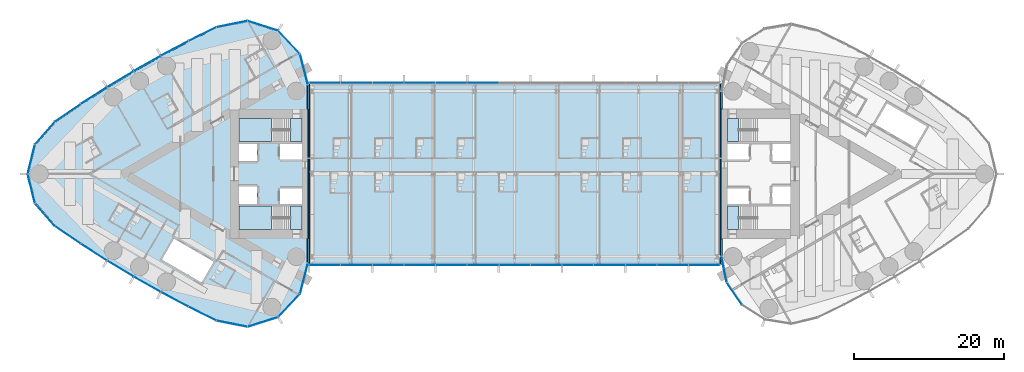
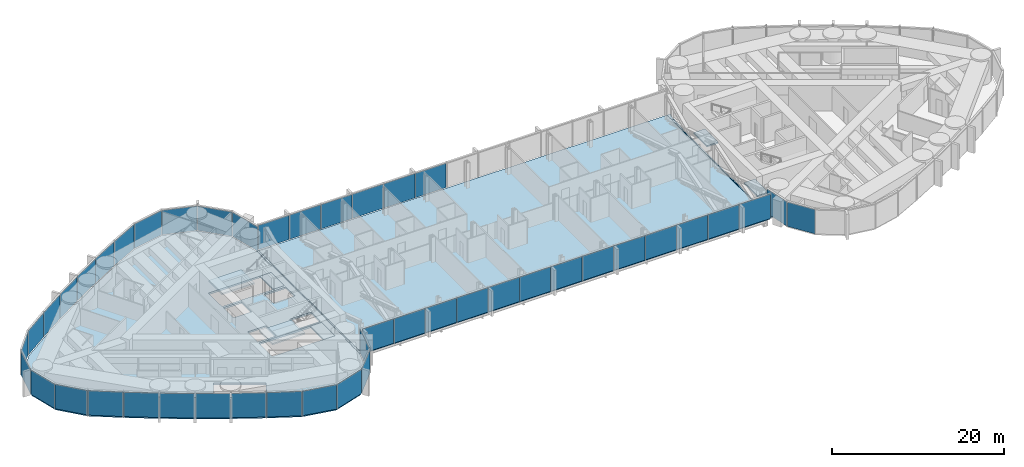
# One storey, part 12 of 22: 47 plates, 8 slabs, 8 elements without a shape of their own.
"""IFC4 building model written with IfcOpenShell, lengths in metres."""

from ifc_helpers import new_model, si_unit, direction, frame, origin, origin_2d, place, context, subcontext, project, spatial, polyline, rectangle, outline, extrude, material, layer, layer_set, type_object, element, aggregate, save


model = new_model("IFC4")

# Units and contexts
model_context = context("Model", 3, precision=1e-05, world=origin(), true_north=direction((0.0, 1.0)))
body_context = subcontext(model_context, "Body", "Model", "MODEL_VIEW")
ifc_project = project(units=[si_unit("LENGTHUNIT", "METRE"), si_unit("AREAUNIT", "SQUARE_METRE"), si_unit("VOLUMEUNIT", "CUBIC_METRE"), si_unit("PLANEANGLEUNIT", "RADIAN"), si_unit("MASSUNIT", "GRAM", prefix="KILO")], contexts=[model_context])

# Site, building, storey
site_placement = place(None, origin())
site = spatial("IfcSite", under=ifc_project, at=site_placement, CompositionType="ELEMENT")
building_placement = place(site_placement, origin())
building = spatial("IfcBuilding", under=site, at=building_placement, Name="Lancet Gate Hotel", CompositionType="ELEMENT")
storey_placement = place(building_placement, frame((0.0, 0.0, 226.10009765625)))
storey = spatial("IfcBuildingStorey", under=building, at=storey_placement, Name="L60", CompositionType="ELEMENT", Elevation=226.10009765625)

# Curtain wall, plates
ifc_material_1 = material(Name="Aluminium curtain wall", Category="aluminium")
curtain_wall_type_1 = type_object("IfcCurtainWallType", Name="Bridge block curtain wall", PredefinedType="USERDEFINED", material=ifc_material_1)
curtain_wall_1_placement = place(storey_placement, origin())
curtain_wall_1 = element("IfcCurtainWall", 1, at=curtain_wall_1_placement, inside=storey, type_object=curtain_wall_type_1, Name="Bridge block L60 curtain wall S", ObjectType="UNITISED CURTAIN WALL", PredefinedType="USERDEFINED")
ifc_material_2 = material(Name="Glass double glazed unit 8-16-6", Category="glass")
ifc_layer_1 = layer(ifc_material_2, 0.030029296875)
ifc_layer_set_1 = layer_set([ifc_layer_1], Name="Block vision panel")
plate_type_1 = type_object("IfcPlateType", Name="Block vision panel", PredefinedType="CURTAIN_PANEL", material=ifc_layer_set_1)
plate_1_placement = place(storey_placement, frame((-25.24609375, -12.1201171875, 0.0), z_axis=(0.0, 0.0, 1.0), x_axis=(1.0, 0.0, 0.0)))
plate_1 = element("IfcPlate", 2, at=plate_1_placement, type_object=plate_type_1, Name="Bridge block L60 curtain wall S panel 1", PredefinedType="CURTAIN_PANEL", context=body_context, shape_type="SweptSolid", body=[
    extrude(rectangle(XDim=4.142578125, YDim=0.030029296875, at=origin_2d()), origin(), (0.0, 0.0, 1.0), 3.449951171875),
])
plate_2_placement = place(storey_placement, frame((-21.03857421875, -12.1201171875, 0.0), z_axis=(0.0, 0.0, 1.0), x_axis=(1.0, 0.0, 0.0)))
plate_2 = element("IfcPlate", 3, at=plate_2_placement, type_object=plate_type_1, Name="Bridge block L60 curtain wall S panel 2", PredefinedType="CURTAIN_PANEL", context=body_context, shape_type="SweptSolid", body=[
    extrude(rectangle(XDim=4.142578125, YDim=0.030029296875, at=origin_2d()), origin(), (0.0, 0.0, 1.0), 3.449951171875),
])
plate_3_placement = place(storey_placement, frame((-16.830810546875, -12.1201171875, 0.0), z_axis=(0.0, 0.0, 1.0), x_axis=(1.0, 0.0, 0.0)))
plate_3 = element("IfcPlate", 4, at=plate_3_placement, type_object=plate_type_1, Name="Bridge block L60 curtain wall S panel 3", PredefinedType="CURTAIN_PANEL", context=body_context, shape_type="SweptSolid", body=[
    extrude(rectangle(XDim=4.142578125, YDim=0.030029296875, at=origin_2d()), origin(), (0.0, 0.0, 1.0), 3.449951171875),
])
plate_4_placement = place(storey_placement, frame((-12.623046875, -12.1201171875, 0.0), z_axis=(0.0, 0.0, 1.0), x_axis=(1.0, 0.0, 0.0)))
plate_4 = element("IfcPlate", 5, at=plate_4_placement, type_object=plate_type_1, Name="Bridge block L60 curtain wall S panel 4", PredefinedType="CURTAIN_PANEL", context=body_context, shape_type="SweptSolid", body=[
    extrude(rectangle(XDim=4.142578125, YDim=0.030029296875, at=origin_2d()), origin(), (0.0, 0.0, 1.0), 3.449951171875),
])
plate_5_placement = place(storey_placement, frame((-8.415283203125, -12.1201171875, 0.0), z_axis=(0.0, 0.0, 1.0), x_axis=(1.0, 0.0, 0.0)))
plate_5 = element("IfcPlate", 6, at=plate_5_placement, type_object=plate_type_1, Name="Bridge block L60 curtain wall S panel 5", PredefinedType="CURTAIN_PANEL", context=body_context, shape_type="SweptSolid", body=[
    extrude(rectangle(XDim=4.142578125, YDim=0.030029296875, at=origin_2d()), origin(), (0.0, 0.0, 1.0), 3.449951171875),
])
plate_6_placement = place(storey_placement, frame((-4.207763671875, -12.1201171875, 0.0), z_axis=(0.0, 0.0, 1.0), x_axis=(1.0, 0.0, 0.0)))
plate_6 = element("IfcPlate", 7, at=plate_6_placement, type_object=plate_type_1, Name="Bridge block L60 curtain wall S panel 6", PredefinedType="CURTAIN_PANEL", context=body_context, shape_type="SweptSolid", body=[
    extrude(rectangle(XDim=4.142578125, YDim=0.030029296875, at=origin_2d()), origin(), (0.0, 0.0, 1.0), 3.449951171875),
])
plate_7_placement = place(storey_placement, frame((0.0, -12.1201171875, 0.0), z_axis=(0.0, 0.0, 1.0), x_axis=(1.0, 0.0, 0.0)))
plate_7 = element("IfcPlate", 8, at=plate_7_placement, type_object=plate_type_1, Name="Bridge block L60 curtain wall S panel 7", PredefinedType="CURTAIN_PANEL", context=body_context, shape_type="SweptSolid", body=[
    extrude(rectangle(XDim=4.142578125, YDim=0.030029296875, at=origin_2d()), origin(), (0.0, 0.0, 1.0), 3.449951171875),
])
plate_8_placement = place(storey_placement, frame((4.207763671875, -12.1201171875, 0.0), z_axis=(0.0, 0.0, 1.0), x_axis=(1.0, 0.0, 0.0)))
plate_8 = element("IfcPlate", 9, at=plate_8_placement, type_object=plate_type_1, Name="Bridge block L60 curtain wall S panel 8", PredefinedType="CURTAIN_PANEL", context=body_context, shape_type="SweptSolid", body=[
    extrude(rectangle(XDim=4.142578125, YDim=0.030029296875, at=origin_2d()), origin(), (0.0, 0.0, 1.0), 3.449951171875),
])
plate_9_placement = place(storey_placement, frame((8.415283203125, -12.1201171875, 0.0), z_axis=(0.0, 0.0, 1.0), x_axis=(1.0, 0.0, 0.0)))
plate_9 = element("IfcPlate", 10, at=plate_9_placement, type_object=plate_type_1, Name="Bridge block L60 curtain wall S panel 9", PredefinedType="CURTAIN_PANEL", context=body_context, shape_type="SweptSolid", body=[
    extrude(rectangle(XDim=4.142578125, YDim=0.030029296875, at=origin_2d()), origin(), (0.0, 0.0, 1.0), 3.449951171875),
])
plate_10_placement = place(storey_placement, frame((12.623046875, -12.1201171875, 0.0), z_axis=(0.0, 0.0, 1.0), x_axis=(1.0, 0.0, 0.0)))
plate_10 = element("IfcPlate", 11, at=plate_10_placement, type_object=plate_type_1, Name="Bridge block L60 curtain wall S panel 10", PredefinedType="CURTAIN_PANEL", context=body_context, shape_type="SweptSolid", body=[
    extrude(rectangle(XDim=4.142578125, YDim=0.030029296875, at=origin_2d()), origin(), (0.0, 0.0, 1.0), 3.449951171875),
])
plate_11_placement = place(storey_placement, frame((16.830810546875, -12.1201171875, 0.0), z_axis=(0.0, 0.0, 1.0), x_axis=(1.0, 0.0, 0.0)))
plate_11 = element("IfcPlate", 12, at=plate_11_placement, type_object=plate_type_1, Name="Bridge block L60 curtain wall S panel 11", PredefinedType="CURTAIN_PANEL", context=body_context, shape_type="SweptSolid", body=[
    extrude(rectangle(XDim=4.142578125, YDim=0.030029296875, at=origin_2d()), origin(), (0.0, 0.0, 1.0), 3.449951171875),
])
plate_12_placement = place(storey_placement, frame((21.03857421875, -12.1201171875, 0.0), z_axis=(0.0, 0.0, 1.0), x_axis=(1.0, 0.0, 0.0)))
plate_12 = element("IfcPlate", 13, at=plate_12_placement, type_object=plate_type_1, Name="Bridge block L60 curtain wall S panel 12", PredefinedType="CURTAIN_PANEL", context=body_context, shape_type="SweptSolid", body=[
    extrude(rectangle(XDim=4.142578125, YDim=0.030029296875, at=origin_2d()), origin(), (0.0, 0.0, 1.0), 3.449951171875),
])
plate_13_placement = place(storey_placement, frame((25.24609375, -12.1201171875, 0.0), z_axis=(0.0, 0.0, 1.0), x_axis=(1.0, 0.0, 0.0)))
plate_13 = element("IfcPlate", 14, at=plate_13_placement, type_object=plate_type_1, Name="Bridge block L60 curtain wall S panel 13", PredefinedType="CURTAIN_PANEL", context=body_context, shape_type="SweptSolid", body=[
    extrude(rectangle(XDim=4.142578125, YDim=0.030029296875, at=origin_2d()), origin(), (0.0, 0.0, 1.0), 3.449951171875),
])
aggregate(curtain_wall_1, [plate_1, plate_2, plate_3, plate_4, plate_5, plate_6, plate_7, plate_8, plate_9, plate_10, plate_11, plate_12, plate_13])

curtain_wall_2_placement = place(storey_placement, origin())
curtain_wall_2 = element("IfcCurtainWall", 15, at=curtain_wall_2_placement, inside=storey, type_object=curtain_wall_type_1, Name="Bridge block L60 curtain wall N", ObjectType="UNITISED CURTAIN WALL", PredefinedType="USERDEFINED")
plate_14_placement = place(storey_placement, frame((-4.207763671875, 12.1201171875, 0.0), z_axis=(0.0, 0.0, 1.0), x_axis=(-1.0, 0.0, 0.0)))
plate_14 = element("IfcPlate", 16, at=plate_14_placement, type_object=plate_type_1, Name="Bridge block L60 curtain wall N panel 8", PredefinedType="CURTAIN_PANEL", context=body_context, shape_type="SweptSolid", body=[
    extrude(rectangle(XDim=4.142578125, YDim=0.030029296875, at=origin_2d()), origin(), (0.0, 0.0, 1.0), 3.449951171875),
])
plate_15_placement = place(storey_placement, frame((-8.415283203125, 12.1201171875, 0.0), z_axis=(0.0, 0.0, 1.0), x_axis=(-1.0, 0.0, 0.0)))
plate_15 = element("IfcPlate", 17, at=plate_15_placement, type_object=plate_type_1, Name="Bridge block L60 curtain wall N panel 9", PredefinedType="CURTAIN_PANEL", context=body_context, shape_type="SweptSolid", body=[
    extrude(rectangle(XDim=4.142578125, YDim=0.030029296875, at=origin_2d()), origin(), (0.0, 0.0, 1.0), 3.449951171875),
])
plate_16_placement = place(storey_placement, frame((-12.623046875, 12.1201171875, 0.0), z_axis=(0.0, 0.0, 1.0), x_axis=(-1.0, 0.0, 0.0)))
plate_16 = element("IfcPlate", 18, at=plate_16_placement, type_object=plate_type_1, Name="Bridge block L60 curtain wall N panel 10", PredefinedType="CURTAIN_PANEL", context=body_context, shape_type="SweptSolid", body=[
    extrude(rectangle(XDim=4.142578125, YDim=0.030029296875, at=origin_2d()), origin(), (0.0, 0.0, 1.0), 3.449951171875),
])
plate_17_placement = place(storey_placement, frame((-16.830810546875, 12.1201171875, 0.0), z_axis=(0.0, 0.0, 1.0), x_axis=(-1.0, 0.0, 0.0)))
plate_17 = element("IfcPlate", 19, at=plate_17_placement, type_object=plate_type_1, Name="Bridge block L60 curtain wall N panel 11", PredefinedType="CURTAIN_PANEL", context=body_context, shape_type="SweptSolid", body=[
    extrude(rectangle(XDim=4.142578125, YDim=0.030029296875, at=origin_2d()), origin(), (0.0, 0.0, 1.0), 3.449951171875),
])
plate_18_placement = place(storey_placement, frame((-21.03857421875, 12.1201171875, 0.0), z_axis=(0.0, 0.0, 1.0), x_axis=(-1.0, 0.0, 0.0)))
plate_18 = element("IfcPlate", 20, at=plate_18_placement, type_object=plate_type_1, Name="Bridge block L60 curtain wall N panel 12", PredefinedType="CURTAIN_PANEL", context=body_context, shape_type="SweptSolid", body=[
    extrude(rectangle(XDim=4.142578125, YDim=0.030029296875, at=origin_2d()), origin(), (0.0, 0.0, 1.0), 3.449951171875),
])
plate_19_placement = place(storey_placement, frame((-25.24609375, 12.1201171875, 0.0), z_axis=(0.0, 0.0, 1.0), x_axis=(-1.0, 0.0, 0.0)))
plate_19 = element("IfcPlate", 21, at=plate_19_placement, type_object=plate_type_1, Name="Bridge block L60 curtain wall N panel 13", PredefinedType="CURTAIN_PANEL", context=body_context, shape_type="SweptSolid", body=[
    extrude(rectangle(XDim=4.142578125, YDim=0.030029296875, at=origin_2d()), origin(), (0.0, 0.0, 1.0), 3.449951171875),
])
aggregate(curtain_wall_2, [plate_14, plate_15, plate_16, plate_17, plate_18, plate_19])

# Slabs
ifc_material_3 = material(Name="Concrete C40/50", Category="concrete")
ifc_layer_2 = layer(ifc_material_3, 0.199951171875)
ifc_layer_set_2 = layer_set([ifc_layer_2], Name="Composite floor slab 200")
slab_type_1 = type_object("IfcSlabType", Name="Composite floor slab 200", PredefinedType="FLOOR", material=ifc_layer_set_2)
slab_1_placement = place(storey_placement, frame((0.0, 0.0, -0.2001953125)))
element("IfcSlab", 22, at=slab_1_placement, inside=storey, type_object=slab_type_1, Name="Bridge block L60 floor slab", PredefinedType="FLOOR", context=body_context, shape_type="SweptSolid", body=[
    extrude(outline(polyline([(27.35009765625, -12.0), (27.35009765625, 12.0), (-27.35009765625, 12.0), (-27.35009765625, -12.0), (27.35009765625, -12.0)])), origin(), (0.0, 0.0, 1.0), 0.2001953125),
])
ifc_material_4 = material(Name="Concrete C50/60", Category="concrete")
ifc_layer_3 = layer(ifc_material_4, 0.25)
ifc_layer_set_3 = layer_set([ifc_layer_3], Name="Floor slab 250")
slab_type_2 = type_object("IfcSlabType", Name="Floor slab 250", PredefinedType="FLOOR", material=ifc_layer_set_3)
slab_2_placement = place(storey_placement, frame((0.0, 0.0, -0.25)))
element("IfcSlab", 23, at=slab_2_placement, inside=storey, type_object=slab_type_2, Name="T1 L60 floor slab", PredefinedType="FLOOR", context=body_context, shape_type="SweptSolid", body=[
    extrude(outline(polyline([(-27.5, 8.60009765625), (-27.6201171875, 8.60009765625), (-27.6201171875, 11.84619140625), (-28.668701171875, 15.912353515625), (-31.542236328125, 18.95263671875), (-35.52783203125, 20.22412109375), (-39.645751953125, 19.40673828125), (-43.344482421875, 17.565673828125), (-47.005126953125, 15.618896484375), (-50.61181640625, 13.574462890625), (-54.162353515625, 11.43359375), (-57.654052734375, 9.197998046875), (-61.072998046875, 6.876708984375), (-63.71240234375, 3.871337890625), (-64.66064453125, 0.0), (-63.71240234375, -3.871337890625), (-61.072998046875, -6.876708984375), (-57.654052734375, -9.197998046875), (-54.162353515625, -11.43359375), (-50.61181640625, -13.574462890625), (-47.005126953125, -15.618896484375), (-43.344482421875, -17.565673828125), (-39.645751953125, -19.40673828125), (-35.52783203125, -20.22412109375), (-31.542236328125, -18.95263671875), (-28.668701171875, -15.912353515625), (-27.6201171875, -11.84619140625), (-27.6201171875, -8.60009765625), (-27.5, -8.60009765625), (-27.5, -8.199951171875), (-27.5, 8.199951171875), (-27.5, 8.60009765625)]), holes=[polyline([(-36.699951171875, 7.39990234375), (-36.699951171875, 4.300048828125), (-28.300048828125, 4.300048828125), (-28.300048828125, 7.39990234375), (-36.699951171875, 7.39990234375)]), polyline([(-28.300048828125, 4.0), (-31.199951171875, 4.0), (-31.199951171875, 1.89990234375), (-28.300048828125, 1.89990234375), (-28.300048828125, 4.0)]), polyline([(-34.25, 4.0), (-36.699951171875, 4.0), (-36.699951171875, 1.64990234375), (-34.25, 1.64990234375), (-34.25, 4.0)]), polyline([(-36.699951171875, -1.64990234375), (-36.699951171875, -4.0), (-34.25, -4.0), (-34.25, -1.64990234375), (-36.699951171875, -1.64990234375)]), polyline([(-28.300048828125, -1.89990234375), (-31.199951171875, -1.89990234375), (-31.199951171875, -4.0), (-28.300048828125, -4.0), (-28.300048828125, -1.89990234375)]), polyline([(-28.300048828125, -4.300048828125), (-36.699951171875, -4.300048828125), (-36.699951171875, -7.39990234375), (-28.300048828125, -7.39990234375), (-28.300048828125, -4.300048828125)]), polyline([(-45.319091796875, -8.631103515625), (-46.9189453125, -11.402099609375), (-41.635986328125, -14.451904296875), (-40.035888671875, -11.680908203125), (-45.319091796875, -8.631103515625)])]), origin(), (0.0, 0.0, 1.0), 0.25),
])

# Plates
ifc_material_5 = material(Name="Aluminium chequer plate", Category="aluminium")
ifc_layer_4 = layer(ifc_material_5, 0.014892578125)
ifc_layer_set_4 = layer_set([ifc_layer_4], Name="Movement joint cover plate 15")
plate_type_2 = type_object("IfcPlateType", Name="Movement joint cover plate 15", PredefinedType="SHEET", material=ifc_layer_set_4)
plate_20_placement = place(storey_placement, frame((0.0, 0.0, -0.01513671875)))
element("IfcPlate", 24, at=plate_20_placement, inside=storey, type_object=plate_type_2, Name="Movement joint cover plate T1 L60", PredefinedType="SHEET", context=body_context, shape_type="SweptSolid", body=[
    extrude(outline(polyline([(-27.35009765625, 12.0), (-27.65966796875, 12.0), (-27.6201171875, 11.84619140625), (-27.6201171875, 8.60009765625), (-27.5, 8.60009765625), (-27.5, 8.199951171875), (-27.5, -8.199951171875), (-27.5, -8.60009765625), (-27.6201171875, -8.60009765625), (-27.6201171875, -11.84619140625), (-27.65966796875, -12.0), (-27.35009765625, -12.0), (-27.35009765625, 12.0)])), origin(), (0.0, 0.0, 1.0), 0.01513671875),
])
plate_21_placement = place(storey_placement, frame((0.0, 0.0, -0.01513671875)))
element("IfcPlate", 25, at=plate_21_placement, inside=storey, type_object=plate_type_2, Name="Movement joint cover plate T2 L60", PredefinedType="SHEET", context=body_context, shape_type="SweptSolid", body=[
    extrude(outline(polyline([(27.35009765625, -12.0), (27.836669921875, -12.0), (27.6201171875, -10.93603515625), (27.6201171875, -8.60009765625), (27.5, -8.60009765625), (27.5, -8.199951171875), (27.5, 8.199951171875), (27.5, 8.60009765625), (27.6201171875, 8.60009765625), (27.6201171875, 10.93603515625), (27.836669921875, 12.0), (27.35009765625, 12.0), (27.35009765625, -12.0)])), origin(), (0.0, 0.0, 1.0), 0.01513671875),
])

# Stair, slabs
ifc_material_6 = material(Name="Exit stair 20 risers 1500")
stair_type = type_object("IfcStairType", Name="Exit stair 20 risers 1500", PredefinedType="HALF_TURN_STAIR", material=ifc_material_6)
stair_1_placement = place(storey_placement, origin())
stair_1 = element("IfcStair", 26, at=stair_1_placement, inside=storey, type_object=stair_type, Name="T1 stair 1 L60", PredefinedType="HALF_TURN_STAIR")
ifc_material_7 = material(Name="Concrete C40/50", Category="concrete")
ifc_layer_5 = layer(ifc_material_7, 0.199951171875)
ifc_layer_set_5 = layer_set([ifc_layer_5], Name="Stair landing 200")
slab_type_3 = type_object("IfcSlabType", Name="Stair landing 200", PredefinedType="LANDING", material=ifc_layer_set_5)
slab_3_placement = place(storey_placement, frame((0.0, 0.0, -0.2001953125)))
slab_3 = element("IfcSlab", 27, at=slab_3_placement, type_object=slab_type_3, Name="ST1 landing 1", PredefinedType="LANDING", context=body_context, shape_type="SweptSolid", body=[
    extrude(outline(polyline([(-28.300048828125, 7.39990234375), (-29.800048828125, 7.39990234375), (-29.800048828125, 4.300048828125), (-28.300048828125, 4.300048828125), (-28.300048828125, 7.39990234375)])), origin(), (0.0, 0.0, 1.0), 0.2001953125),
])
slab_4_placement = place(storey_placement, frame((0.0, 0.0, 1.599853515625)))
slab_4 = element("IfcSlab", 28, at=slab_4_placement, type_object=slab_type_3, Name="ST1 landing 2", PredefinedType="LANDING", context=body_context, shape_type="SweptSolid", body=[
    extrude(outline(polyline([(-32.320068359375, 7.39990234375), (-36.699951171875, 7.39990234375), (-36.699951171875, 4.300048828125), (-32.320068359375, 4.300048828125), (-32.320068359375, 7.39990234375)])), origin(), (0.0, 0.0, 1.0), 0.199951171875),
])
aggregate(stair_1, [slab_3, slab_4])

stair_2_placement = place(storey_placement, origin())
stair_2 = element("IfcStair", 29, at=stair_2_placement, inside=storey, type_object=stair_type, Name="T1 stair 2 L60", PredefinedType="HALF_TURN_STAIR")
slab_5_placement = place(storey_placement, frame((0.0, 0.0, -0.2001953125)))
slab_5 = element("IfcSlab", 30, at=slab_5_placement, type_object=slab_type_3, Name="ST2 landing 1", PredefinedType="LANDING", context=body_context, shape_type="SweptSolid", body=[
    extrude(outline(polyline([(-28.300048828125, -4.300048828125), (-29.800048828125, -4.300048828125), (-29.800048828125, -7.39990234375), (-28.300048828125, -7.39990234375), (-28.300048828125, -4.300048828125)])), origin(), (0.0, 0.0, 1.0), 0.2001953125),
])
slab_6_placement = place(storey_placement, frame((0.0, 0.0, 1.599853515625)))
slab_6 = element("IfcSlab", 31, at=slab_6_placement, type_object=slab_type_3, Name="ST2 landing 2", PredefinedType="LANDING", context=body_context, shape_type="SweptSolid", body=[
    extrude(outline(polyline([(-32.320068359375, -4.300048828125), (-36.699951171875, -4.300048828125), (-36.699951171875, -7.39990234375), (-32.320068359375, -7.39990234375), (-32.320068359375, -4.300048828125)])), origin(), (0.0, 0.0, 1.0), 0.199951171875),
])
aggregate(stair_2, [slab_5, slab_6])

# Stair, slab
stair_3_placement = place(storey_placement, origin())
stair_3 = element("IfcStair", 32, at=stair_3_placement, inside=storey, type_object=stair_type, Name="T2 stair 1 L60", PredefinedType="HALF_TURN_STAIR")
slab_7_placement = place(storey_placement, frame((0.0, 0.0, -0.2001953125)))
slab_7 = element("IfcSlab", 33, at=slab_7_placement, type_object=slab_type_3, Name="ST3 landing 1", PredefinedType="LANDING", context=body_context, shape_type="SweptSolid", body=[
    extrude(outline(polyline([(28.300048828125, -7.39990234375), (29.800048828125, -7.39990234375), (29.800048828125, -4.300048828125), (28.300048828125, -4.300048828125), (28.300048828125, -7.39990234375)])), origin(), (0.0, 0.0, 1.0), 0.2001953125),
])
aggregate(stair_3, [slab_7])

stair_4_placement = place(storey_placement, origin())
stair_4 = element("IfcStair", 34, at=stair_4_placement, inside=storey, type_object=stair_type, Name="T2 stair 2 L60", PredefinedType="HALF_TURN_STAIR")
slab_8_placement = place(storey_placement, frame((0.0, 0.0, -0.2001953125)))
slab_8 = element("IfcSlab", 35, at=slab_8_placement, type_object=slab_type_3, Name="ST4 landing 1", PredefinedType="LANDING", context=body_context, shape_type="SweptSolid", body=[
    extrude(outline(polyline([(28.300048828125, 4.300048828125), (29.800048828125, 4.300048828125), (29.800048828125, 7.39990234375), (28.300048828125, 7.39990234375), (28.300048828125, 4.300048828125)])), origin(), (0.0, 0.0, 1.0), 0.2001953125),
])
aggregate(stair_4, [slab_8])

# Curtain wall, plates
ifc_material_8 = material(Name="Aluminium curtain wall", Category="aluminium")
curtain_wall_type_2 = type_object("IfcCurtainWallType", Name="Tower unitised curtain wall", PredefinedType="USERDEFINED", material=ifc_material_8)
curtain_wall_3_placement = place(storey_placement, origin())
curtain_wall_3 = element("IfcCurtainWall", 36, at=curtain_wall_3_placement, inside=storey, type_object=curtain_wall_type_2, Name="T1 L60 curtain wall 1", ObjectType="UNITISED CURTAIN WALL", PredefinedType="USERDEFINED")
ifc_material_9 = material(Name="Glass double glazed unit 8-16-6", Category="glass")
ifc_layer_6 = layer(ifc_material_9, 0.030029296875)
ifc_layer_set_6 = layer_set([ifc_layer_6], Name="Vision panel double glazed")
plate_type_3 = type_object("IfcPlateType", Name="Vision panel double glazed", PredefinedType="CURTAIN_PANEL", material=ifc_layer_set_6)
plate_22_placement = place(storey_placement, frame((-28.030029296875, 13.9169921875, 0.0), z_axis=(0.0, 0.0, 1.0), x_axis=(-0.249725827997, 0.968316586056, 0.0)))
plate_22 = element("IfcPlate", 37, at=plate_22_placement, type_object=plate_type_3, Name="T1 L60 curtain wall 1 panel 1", PredefinedType="CURTAIN_PANEL", context=body_context, shape_type="SweptSolid", body=[
    extrude(rectangle(XDim=4.180419921875, YDim=0.030029296875, at=origin_2d()), origin(), (0.0, 0.0, 1.0), 3.449951171875),
])
plate_23_placement = place(storey_placement, frame((-30.018310546875, 17.514892578125, 0.0), z_axis=(0.0, 0.0, 1.0), x_axis=(-0.686882887577, 0.726768118972, 0.0)))
plate_23 = element("IfcPlate", 38, at=plate_23_placement, type_object=plate_type_3, Name="T1 L60 curtain wall 1 panel 2", PredefinedType="CURTAIN_PANEL", context=body_context, shape_type="SweptSolid", body=[
    extrude(rectangle(XDim=4.180419921875, YDim=0.030029296875, at=origin_2d()), origin(), (0.0, 0.0, 1.0), 3.449951171875),
])
plate_24_placement = place(storey_placement, frame((-33.49853515625, 19.702880859375, 0.0), z_axis=(0.0, 0.0, 1.0), x_axis=(-0.952695666833, 0.303925922549, 0.0)))
plate_24 = element("IfcPlate", 39, at=plate_24_placement, type_object=plate_type_3, Name="T1 L60 curtain wall 1 panel 3", PredefinedType="CURTAIN_PANEL", context=body_context, shape_type="SweptSolid", body=[
    extrude(rectangle(XDim=4.180419921875, YDim=0.030029296875, at=origin_2d()), origin(), (0.0, 0.0, 1.0), 3.449951171875),
])
plate_25_placement = place(storey_placement, frame((-37.602783203125, 19.9345703125, 0.0), z_axis=(0.0, 0.0, 1.0), x_axis=(-0.980856647866, -0.194731189942, 0.0)))
plate_25 = element("IfcPlate", 40, at=plate_25_placement, type_object=plate_type_3, Name="T1 L60 curtain wall 1 panel 4", PredefinedType="CURTAIN_PANEL", context=body_context, shape_type="SweptSolid", body=[
    extrude(rectangle(XDim=4.180419921875, YDim=0.030029296875, at=origin_2d()), origin(), (0.0, 0.0, 1.0), 3.449951171875),
])
plate_26_placement = place(storey_placement, frame((-41.5419921875, 18.5966796875, 0.0), z_axis=(0.0, 0.0, 1.0), x_axis=(-0.895234030262, -0.445596264639, 0.0)))
plate_26 = element("IfcPlate", 41, at=plate_26_placement, type_object=plate_type_3, Name="T1 L60 curtain wall 1 panel 5", PredefinedType="CURTAIN_PANEL", context=body_context, shape_type="SweptSolid", body=[
    extrude(rectangle(XDim=4.084228515625, YDim=0.030029296875, at=origin_2d()), origin(), (0.0, 0.0, 1.0), 3.449951171875),
])
plate_27_placement = place(storey_placement, frame((-45.23095703125, 16.6982421875, 0.0), z_axis=(0.0, 0.0, 1.0), x_axis=(-0.882915941615, -0.469531085277, 0.0)))
plate_27 = element("IfcPlate", 42, at=plate_27_placement, type_object=plate_type_3, Name="T1 L60 curtain wall 1 panel 6", PredefinedType="CURTAIN_PANEL", context=body_context, shape_type="SweptSolid", body=[
    extrude(rectangle(XDim=4.084228515625, YDim=0.030029296875, at=origin_2d()), origin(), (0.0, 0.0, 1.0), 3.449951171875),
])
plate_28_placement = place(storey_placement, frame((-48.86767578125, 14.701171875, 0.0), z_axis=(0.0, 0.0, 1.0), x_axis=(-0.869958082404, -0.493125678565, 0.0)))
plate_28 = element("IfcPlate", 43, at=plate_28_placement, type_object=plate_type_3, Name="T1 L60 curtain wall 1 panel 7", PredefinedType="CURTAIN_PANEL", context=body_context, shape_type="SweptSolid", body=[
    extrude(rectangle(XDim=4.084228515625, YDim=0.030029296875, at=origin_2d()), origin(), (0.0, 0.0, 1.0), 3.449951171875),
])
plate_29_placement = place(storey_placement, frame((-52.44921875, 12.606689453125, 0.0), z_axis=(0.0, 0.0, 1.0), x_axis=(-0.85636984205, -0.516362947574, 0.0)))
plate_29 = element("IfcPlate", 44, at=plate_29_placement, type_object=plate_type_3, Name="T1 L60 curtain wall 1 panel 8", PredefinedType="CURTAIN_PANEL", context=body_context, shape_type="SweptSolid", body=[
    extrude(rectangle(XDim=4.084228515625, YDim=0.030029296875, at=origin_2d()), origin(), (0.0, 0.0, 1.0), 3.449951171875),
])
plate_30_placement = place(storey_placement, frame((-55.972900390625, 10.416748046875, 0.0), z_axis=(0.0, 0.0, 1.0), x_axis=(-0.842161066725, -0.539226054352, 0.0)))
plate_30 = element("IfcPlate", 45, at=plate_30_placement, type_object=plate_type_3, Name="T1 L60 curtain wall 1 panel 9", PredefinedType="CURTAIN_PANEL", context=body_context, shape_type="SweptSolid", body=[
    extrude(rectangle(XDim=4.084228515625, YDim=0.030029296875, at=origin_2d()), origin(), (0.0, 0.0, 1.0), 3.449951171875),
])
plate_31_placement = place(storey_placement, frame((-59.4365234375, 8.1328125, 0.0), z_axis=(0.0, 0.0, 1.0), x_axis=(-0.827342052281, -0.561698432014, 0.0)))
plate_31 = element("IfcPlate", 46, at=plate_31_placement, type_object=plate_type_3, Name="T1 L60 curtain wall 1 panel 10", PredefinedType="CURTAIN_PANEL", context=body_context, shape_type="SweptSolid", body=[
    extrude(rectangle(XDim=4.084228515625, YDim=0.030029296875, at=origin_2d()), origin(), (0.0, 0.0, 1.0), 3.449951171875),
])
plate_32_placement = place(storey_placement, frame((-62.487548828125, 5.447998046875, 0.0), z_axis=(0.0, 0.0, 1.0), x_axis=(-0.659891635916, -0.751360784742, 0.0)))
plate_32 = element("IfcPlate", 47, at=plate_32_placement, type_object=plate_type_3, Name="T1 L60 curtain wall 1 panel 11", PredefinedType="CURTAIN_PANEL", context=body_context, shape_type="SweptSolid", body=[
    extrude(rectangle(XDim=3.979736328125, YDim=0.030029296875, at=origin_2d()), origin(), (0.0, 0.0, 1.0), 3.449951171875),
])
plate_33_placement = place(storey_placement, frame((-64.30322265625, 1.96435546875, 0.0), z_axis=(0.0, 0.0, 1.0), x_axis=(-0.237921018621, -0.971284504612, 0.0)))
plate_33 = element("IfcPlate", 48, at=plate_33_placement, type_object=plate_type_3, Name="T1 L60 curtain wall 1 panel 12", PredefinedType="CURTAIN_PANEL", context=body_context, shape_type="SweptSolid", body=[
    extrude(rectangle(XDim=3.979736328125, YDim=0.030029296875, at=origin_2d()), origin(), (0.0, 0.0, 1.0), 3.449951171875),
])
plate_34_placement = place(storey_placement, frame((-64.30322265625, -1.96435546875, 0.0), z_axis=(0.0, 0.0, 1.0), x_axis=(0.237921018621, -0.971284504612, 0.0)))
plate_34 = element("IfcPlate", 49, at=plate_34_placement, type_object=plate_type_3, Name="T1 L60 curtain wall 1 panel 13", PredefinedType="CURTAIN_PANEL", context=body_context, shape_type="SweptSolid", body=[
    extrude(rectangle(XDim=3.979736328125, YDim=0.030029296875, at=origin_2d()), origin(), (0.0, 0.0, 1.0), 3.449951171875),
])
plate_35_placement = place(storey_placement, frame((-62.487548828125, -5.447998046875, 0.0), z_axis=(0.0, 0.0, 1.0), x_axis=(0.659891635916, -0.751360784742, 0.0)))
plate_35 = element("IfcPlate", 50, at=plate_35_placement, type_object=plate_type_3, Name="T1 L60 curtain wall 1 panel 14", PredefinedType="CURTAIN_PANEL", context=body_context, shape_type="SweptSolid", body=[
    extrude(rectangle(XDim=3.979736328125, YDim=0.030029296875, at=origin_2d()), origin(), (0.0, 0.0, 1.0), 3.449951171875),
])
plate_36_placement = place(storey_placement, frame((-59.4365234375, -8.1328125, 0.0), z_axis=(0.0, 0.0, 1.0), x_axis=(0.827342052281, -0.561698432014, 0.0)))
plate_36 = element("IfcPlate", 51, at=plate_36_placement, type_object=plate_type_3, Name="T1 L60 curtain wall 1 panel 15", PredefinedType="CURTAIN_PANEL", context=body_context, shape_type="SweptSolid", body=[
    extrude(rectangle(XDim=4.084228515625, YDim=0.030029296875, at=origin_2d()), origin(), (0.0, 0.0, 1.0), 3.449951171875),
])
plate_37_placement = place(storey_placement, frame((-55.972900390625, -10.416748046875, 0.0), z_axis=(0.0, 0.0, 1.0), x_axis=(0.842161066725, -0.539226054352, 0.0)))
plate_37 = element("IfcPlate", 52, at=plate_37_placement, type_object=plate_type_3, Name="T1 L60 curtain wall 1 panel 16", PredefinedType="CURTAIN_PANEL", context=body_context, shape_type="SweptSolid", body=[
    extrude(rectangle(XDim=4.084228515625, YDim=0.030029296875, at=origin_2d()), origin(), (0.0, 0.0, 1.0), 3.449951171875),
])
plate_38_placement = place(storey_placement, frame((-52.44921875, -12.606689453125, 0.0), z_axis=(0.0, 0.0, 1.0), x_axis=(0.85636984205, -0.516362947574, 0.0)))
plate_38 = element("IfcPlate", 53, at=plate_38_placement, type_object=plate_type_3, Name="T1 L60 curtain wall 1 panel 17", PredefinedType="CURTAIN_PANEL", context=body_context, shape_type="SweptSolid", body=[
    extrude(rectangle(XDim=4.084228515625, YDim=0.030029296875, at=origin_2d()), origin(), (0.0, 0.0, 1.0), 3.449951171875),
])
plate_39_placement = place(storey_placement, frame((-48.86767578125, -14.701171875, 0.0), z_axis=(0.0, 0.0, 1.0), x_axis=(0.869958082404, -0.493125678565, 0.0)))
plate_39 = element("IfcPlate", 54, at=plate_39_placement, type_object=plate_type_3, Name="T1 L60 curtain wall 1 panel 18", PredefinedType="CURTAIN_PANEL", context=body_context, shape_type="SweptSolid", body=[
    extrude(rectangle(XDim=4.084228515625, YDim=0.030029296875, at=origin_2d()), origin(), (0.0, 0.0, 1.0), 3.449951171875),
])
plate_40_placement = place(storey_placement, frame((-45.23095703125, -16.6982421875, 0.0), z_axis=(0.0, 0.0, 1.0), x_axis=(0.882915941615, -0.469531085277, 0.0)))
plate_40 = element("IfcPlate", 55, at=plate_40_placement, type_object=plate_type_3, Name="T1 L60 curtain wall 1 panel 19", PredefinedType="CURTAIN_PANEL", context=body_context, shape_type="SweptSolid", body=[
    extrude(rectangle(XDim=4.084228515625, YDim=0.030029296875, at=origin_2d()), origin(), (0.0, 0.0, 1.0), 3.449951171875),
])
plate_41_placement = place(storey_placement, frame((-41.5419921875, -18.5966796875, 0.0), z_axis=(0.0, 0.0, 1.0), x_axis=(0.895234030262, -0.445596264639, 0.0)))
plate_41 = element("IfcPlate", 56, at=plate_41_placement, type_object=plate_type_3, Name="T1 L60 curtain wall 1 panel 20", PredefinedType="CURTAIN_PANEL", context=body_context, shape_type="SweptSolid", body=[
    extrude(rectangle(XDim=4.084228515625, YDim=0.030029296875, at=origin_2d()), origin(), (0.0, 0.0, 1.0), 3.449951171875),
])
plate_42_placement = place(storey_placement, frame((-37.602783203125, -19.9345703125, 0.0), z_axis=(0.0, 0.0, 1.0), x_axis=(0.980856647866, -0.194731189942, 0.0)))
plate_42 = element("IfcPlate", 57, at=plate_42_placement, type_object=plate_type_3, Name="T1 L60 curtain wall 1 panel 21", PredefinedType="CURTAIN_PANEL", context=body_context, shape_type="SweptSolid", body=[
    extrude(rectangle(XDim=4.180419921875, YDim=0.030029296875, at=origin_2d()), origin(), (0.0, 0.0, 1.0), 3.449951171875),
])
plate_43_placement = place(storey_placement, frame((-33.49853515625, -19.702880859375, 0.0), z_axis=(0.0, 0.0, 1.0), x_axis=(0.952695666833, 0.303925922549, 0.0)))
plate_43 = element("IfcPlate", 58, at=plate_43_placement, type_object=plate_type_3, Name="T1 L60 curtain wall 1 panel 22", PredefinedType="CURTAIN_PANEL", context=body_context, shape_type="SweptSolid", body=[
    extrude(rectangle(XDim=4.180419921875, YDim=0.030029296875, at=origin_2d()), origin(), (0.0, 0.0, 1.0), 3.449951171875),
])
plate_44_placement = place(storey_placement, frame((-30.018310546875, -17.514892578125, 0.0), z_axis=(0.0, 0.0, 1.0), x_axis=(0.686882887577, 0.726768118972, 0.0)))
plate_44 = element("IfcPlate", 59, at=plate_44_placement, type_object=plate_type_3, Name="T1 L60 curtain wall 1 panel 23", PredefinedType="CURTAIN_PANEL", context=body_context, shape_type="SweptSolid", body=[
    extrude(rectangle(XDim=4.180419921875, YDim=0.030029296875, at=origin_2d()), origin(), (0.0, 0.0, 1.0), 3.449951171875),
])
plate_45_placement = place(storey_placement, frame((-28.030029296875, -13.9169921875, 0.0), z_axis=(0.0, 0.0, 1.0), x_axis=(0.249725827997, 0.968316586056, 0.0)))
plate_45 = element("IfcPlate", 60, at=plate_45_placement, type_object=plate_type_3, Name="T1 L60 curtain wall 1 panel 24", PredefinedType="CURTAIN_PANEL", context=body_context, shape_type="SweptSolid", body=[
    extrude(rectangle(XDim=4.180419921875, YDim=0.030029296875, at=origin_2d()), origin(), (0.0, 0.0, 1.0), 3.449951171875),
])
aggregate(curtain_wall_3, [plate_22, plate_23, plate_24, plate_25, plate_26, plate_27, plate_28, plate_29, plate_30, plate_31, plate_32, plate_33, plate_34, plate_35, plate_36, plate_37, plate_38, plate_39, plate_40, plate_41, plate_42, plate_43, plate_44, plate_45])

curtain_wall_4_placement = place(storey_placement, origin())
curtain_wall_4 = element("IfcCurtainWall", 61, at=curtain_wall_4_placement, inside=storey, type_object=curtain_wall_type_2, Name="T2 L60 curtain wall 1", ObjectType="UNITISED CURTAIN WALL", PredefinedType="USERDEFINED")
plate_46_placement = place(storey_placement, frame((27.8583984375, -12.707763671875, 0.0), z_axis=(0.0, 0.0, 1.0), x_axis=(0.199533486841, -0.979891008036, 0.0)))
plate_46 = element("IfcPlate", 62, at=plate_46_placement, type_object=plate_type_3, Name="T2 L60 curtain wall 1 panel 1", PredefinedType="CURTAIN_PANEL", context=body_context, shape_type="SweptSolid", body=[
    extrude(rectangle(XDim=3.526611328125, YDim=0.030029296875, at=origin_2d()), origin(), (0.0, 0.0, 1.0), 3.449951171875),
])
plate_47_placement = place(storey_placement, frame((29.234619140625, -15.947021484375, 0.0), z_axis=(0.0, 0.0, 1.0), x_axis=(0.566823864908, -0.823839005007, 0.0)))
plate_47 = element("IfcPlate", 63, at=plate_47_placement, type_object=plate_type_3, Name="T2 L60 curtain wall 1 panel 2", PredefinedType="CURTAIN_PANEL", context=body_context, shape_type="SweptSolid", body=[
    extrude(rectangle(XDim=3.526611328125, YDim=0.030029296875, at=origin_2d()), origin(), (0.0, 0.0, 1.0), 3.449951171875),
])
aggregate(curtain_wall_4, [plate_46, plate_47])

save(model, "model.ifc")
